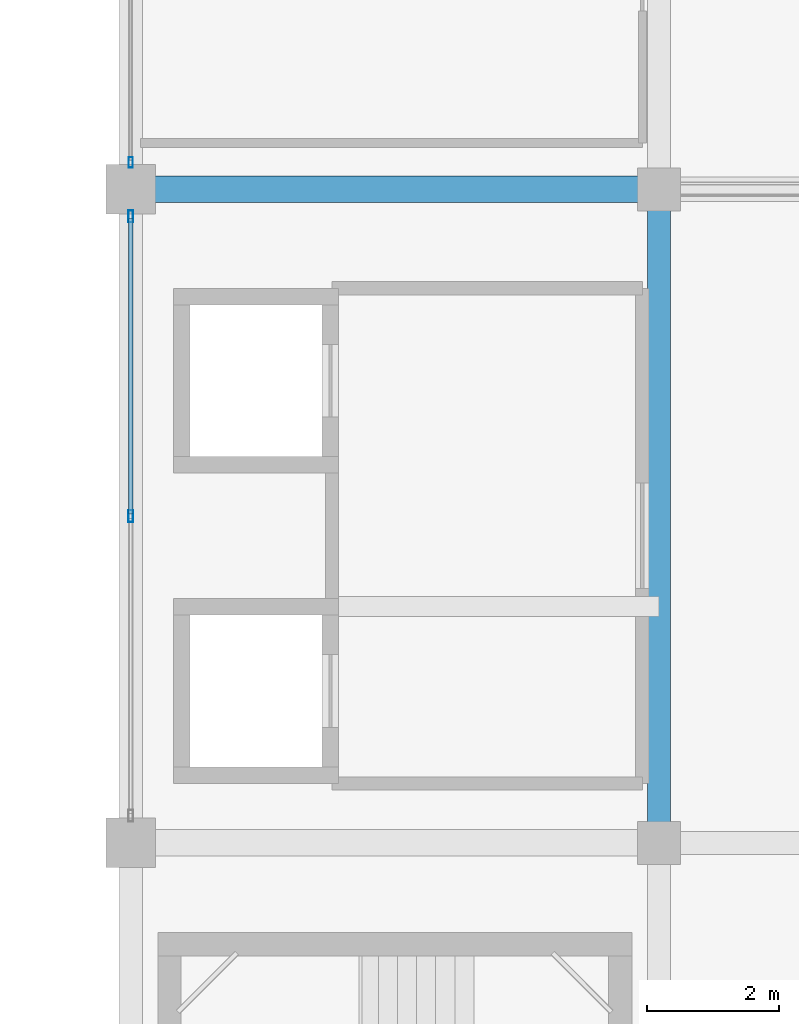
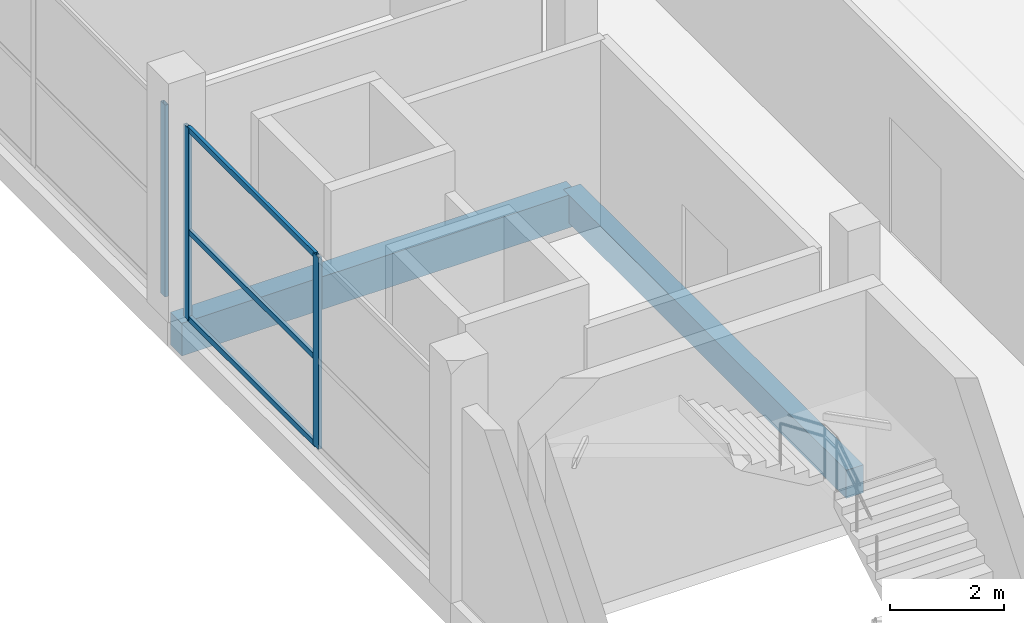
# One storey, part 8 of 67: 6 members, 2 beams, 2 elements without a shape of their own.
"""IFC4 building model written with IfcOpenShell, lengths in metres."""

from ifc_helpers import new_model, si_unit, direction, frame, origin, origin_2d, place, context, subcontext, project, spatial, rectangle, hollow_rectangle, extrude, material, layer, layer_set, material_profile, profile_set, type_object, element, aggregate, save


model = new_model("IFC4")

# Units and contexts
model_context = context("Model", 3, precision=1e-05, world=origin(), true_north=direction((0.0, 1.0)))
body_context = subcontext(model_context, "Body", "Model", "MODEL_VIEW")
ifc_project = project(units=[si_unit("LENGTHUNIT", "METRE"), si_unit("AREAUNIT", "SQUARE_METRE"), si_unit("VOLUMEUNIT", "CUBIC_METRE"), si_unit("PLANEANGLEUNIT", "RADIAN"), si_unit("MASSUNIT", "GRAM", prefix="KILO")], contexts=[model_context])

# Site, building, storey
site_placement = place(None, origin())
site = spatial("IfcSite", under=ifc_project, at=site_placement, CompositionType="ELEMENT")
building_placement = place(site_placement, origin())
building = spatial("IfcBuilding", under=site, at=building_placement, Name="Sillaruma Civic Art Gallery", CompositionType="ELEMENT")
storey_placement = place(building_placement, frame((0.0, 0.0, 46.919921875)))
storey = spatial("IfcBuildingStorey", under=building, at=storey_placement, Name="L09", CompositionType="ELEMENT", Elevation=46.919921875)

# Beams
ifc_material_1 = material(Name="Concrete H35 (35 MPa)", Category="concrete")
ifc_material_profile_1 = material_profile(ifc_material_1, rectangle(XDim=0.35009765625, YDim=0.60009765625, at=origin_2d()), Name="RCB350x600")
ifc_profile_set_1 = profile_set([ifc_material_profile_1], Name="Concrete H35 (35 MPa)")
beam_type_1 = type_object("IfcBeamType", Name="BM-BEAM-RCB350x600", PredefinedType="BEAM", material=ifc_profile_set_1)
beam_1_placement = place(storey_placement, frame((70.0, 39.60009765625, -0.5498046875), z_axis=(0.0, 1.0, 0.0), x_axis=(-1.0, 0.0, 0.0)))
element("IfcBeam", 1, at=beam_1_placement, inside=storey, type_object=beam_type_1, Name="Beam BM-06 (L08:G:5-6)", PredefinedType="BEAM", context=body_context, shape_type="SweptSolid", body=[
    extrude(rectangle(XDim=0.35009765625, YDim=0.60009765625, at=origin_2d()), origin(), (0.0, 0.0, 1.0), 9.89990234375),
])
ifc_material_profile_2 = material_profile(ifc_material_1, rectangle(XDim=0.39990234375, YDim=0.699951171875, at=origin_2d()), Name="RCB400x700")
ifc_profile_set_2 = profile_set([ifc_material_profile_2], Name="Concrete H35 (35 MPa)")
beam_type_2 = type_object("IfcBeamType", Name="BM-BEAM-RCB400x700", PredefinedType="BEAM", material=ifc_profile_set_2)
beam_2_placement = place(storey_placement, frame((62.0, 49.5, -0.599853515625), z_axis=(1.0, 0.0, 0.0), x_axis=(0.0, 1.0, 0.0)))
element("IfcBeam", 2, at=beam_2_placement, inside=storey, type_object=beam_type_2, Name="Beam BM-04 (L08:6:F-G)", PredefinedType="BEAM", context=body_context, shape_type="SweptSolid", body=[
    extrude(rectangle(XDim=0.39990234375, YDim=0.699951171875, at=origin_2d()), origin(), (0.0, 0.0, 1.0), 8.0),
])

# Curtain wall, member
ifc_material_2 = material(Name="Thermally Broken Extruded Aluminium 6063-T6", Category="aluminium")
ifc_layer_1 = layer(ifc_material_2, 0.159912109375, Name="Thermally Broken Extruded Aluminium 6063-T6")
ifc_layer_set_1 = layer_set([ifc_layer_1], Name="Thermally Broken Extruded Aluminium 6063-T6")
curtain_wall_type_1 = type_object("IfcCurtainWallType", Name="CW-UNI-62", PredefinedType="NOTDEFINED", material=ifc_layer_set_1)
curtain_wall_1_placement = place(storey_placement, origin())
curtain_wall_1 = element("IfcCurtainWall", 3, at=curtain_wall_1_placement, inside=storey, type_object=curtain_wall_type_1, Name="Unitised Curtain Wall CW-62 (CW-L09-WBW-4)", PredefinedType="NOTDEFINED")
ifc_material_profile_3 = material_profile(ifc_material_2, hollow_rectangle(XDim=0.06494140625, YDim=0.159912109375, WallThickness=0.00390625, at=origin_2d()), Name="CWM65x160")
ifc_profile_set_3 = profile_set([ifc_material_profile_3], Name="Thermally Broken Extruded Aluminium 6063-T6")
member_type_1 = type_object("IfcMemberType", Name="MEM-MUL-CWM65x160", PredefinedType="MULLION", material=ifc_profile_set_3)
member_1_placement = place(storey_placement, frame((62.0, 49.907470703125, 0.0), z_axis=(0.0, 0.0, 1.0), x_axis=(-1.0, 0.0, 0.0)))
member_1 = element("IfcMember", 4, at=member_1_placement, type_object=member_type_1, Name="CW-62 mullion 1", PredefinedType="MULLION", context=body_context, shape_type="SweptSolid", body=[
    extrude(hollow_rectangle(XDim=0.06494140625, YDim=0.159912109375, WallThickness=0.00390625, at=origin_2d()), origin(), (0.0, 0.0, 1.0), 4.10009765625),
])
aggregate(curtain_wall_1, [member_1])

# Curtain wall, members
ifc_layer_2 = layer(ifc_material_2, 0.179931640625, Name="Thermally Broken Extruded Aluminium 6063-T6")
ifc_layer_set_2 = layer_set([ifc_layer_2], Name="Thermally Broken Extruded Aluminium 6063-T6")
curtain_wall_type_2 = type_object("IfcCurtainWallType", Name="CW-UNI-61", PredefinedType="NOTDEFINED", material=ifc_layer_set_2)
curtain_wall_2_placement = place(storey_placement, origin())
curtain_wall_2 = element("IfcCurtainWall", 5, at=curtain_wall_2_placement, inside=storey, type_object=curtain_wall_type_2, Name="Unitised Curtain Wall CW-61 (CW-L09-WBW-3)", PredefinedType="NOTDEFINED")
ifc_material_profile_4 = material_profile(ifc_material_2, hollow_rectangle(XDim=0.070068359375, YDim=0.179931640625, WallThickness=0.00390625, at=origin_2d()), Name="CWM70x180")
ifc_profile_set_4 = profile_set([ifc_material_profile_4], Name="Thermally Broken Extruded Aluminium 6063-T6")
member_type_2 = type_object("IfcMemberType", Name="MEM-MUL-CWM70x180", PredefinedType="MULLION", material=ifc_profile_set_4)
member_2_placement = place(storey_placement, frame((62.0, 44.550048828125, 0.0), z_axis=(0.0, 0.0, 1.0), x_axis=(-1.0, 0.0, 0.0)))
member_2 = element("IfcMember", 6, at=member_2_placement, type_object=member_type_2, Name="CW-61 mullion 2", PredefinedType="MULLION", context=body_context, shape_type="SweptSolid", body=[
    extrude(hollow_rectangle(XDim=0.070068359375, YDim=0.179931640625, WallThickness=0.00390625, at=origin_2d()), origin(), (0.0, 0.0, 1.0), 4.10009765625),
])
member_3_placement = place(storey_placement, frame((62.0, 49.090087890625, 0.0), z_axis=(0.0, 0.0, 1.0), x_axis=(-1.0, 0.0, 0.0)))
member_3 = element("IfcMember", 7, at=member_3_placement, type_object=member_type_2, Name="CW-61 mullion 3", PredefinedType="MULLION", context=body_context, shape_type="SweptSolid", body=[
    extrude(hollow_rectangle(XDim=0.070068359375, YDim=0.179931640625, WallThickness=0.00390625, at=origin_2d()), origin(), (0.0, 0.0, 1.0), 4.10009765625),
])
ifc_material_profile_5 = material_profile(ifc_material_2, hollow_rectangle(XDim=0.06494140625, YDim=0.1201171875, WallThickness=0.00341796875, at=origin_2d()), Name="CWT65x120")
ifc_profile_set_5 = profile_set([ifc_material_profile_5], Name="Thermally Broken Extruded Aluminium 6063-T6")
member_type_3 = type_object("IfcMemberType", Name="MEM-TRN-CWT65x120", PredefinedType="USERDEFINED", material=ifc_profile_set_5)
member_4_placement = place(storey_placement, frame((62.0, 44.5849609375, 0.032470703125), z_axis=(0.0, 1.0, 0.0), x_axis=(-1.0, 0.0, 0.0)))
member_4 = element("IfcMember", 8, at=member_4_placement, type_object=member_type_3, Name="CW-61 transom 2.1", ObjectType="TRANSOM", PredefinedType="USERDEFINED", context=body_context, shape_type="SweptSolid", body=[
    extrude(hollow_rectangle(XDim=0.06494140625, YDim=0.1201171875, WallThickness=0.00341796875, at=origin_2d()), origin(), (0.0, 0.0, 1.0), 4.469970703125),
])
member_5_placement = place(storey_placement, frame((62.0, 44.5849609375, 1.885986328125), z_axis=(0.0, 1.0, 0.0), x_axis=(-1.0, 0.0, 0.0)))
member_5 = element("IfcMember", 9, at=member_5_placement, type_object=member_type_3, Name="CW-61 transom 2.2", ObjectType="TRANSOM", PredefinedType="USERDEFINED", context=body_context, shape_type="SweptSolid", body=[
    extrude(hollow_rectangle(XDim=0.06494140625, YDim=0.1201171875, WallThickness=0.00341796875, at=origin_2d()), origin(), (0.0, 0.0, 1.0), 4.469970703125),
])
member_6_placement = place(storey_placement, frame((62.0, 44.5849609375, 4.067626953125), z_axis=(0.0, 1.0, 0.0), x_axis=(-1.0, 0.0, 0.0)))
member_6 = element("IfcMember", 10, at=member_6_placement, type_object=member_type_3, Name="CW-61 transom 2.3", ObjectType="TRANSOM", PredefinedType="USERDEFINED", context=body_context, shape_type="SweptSolid", body=[
    extrude(hollow_rectangle(XDim=0.06494140625, YDim=0.1201171875, WallThickness=0.00341796875, at=origin_2d()), origin(), (0.0, 0.0, 1.0), 4.469970703125),
])
aggregate(curtain_wall_2, [member_2, member_3, member_4, member_5, member_6])

save(model, "model.ifc")
